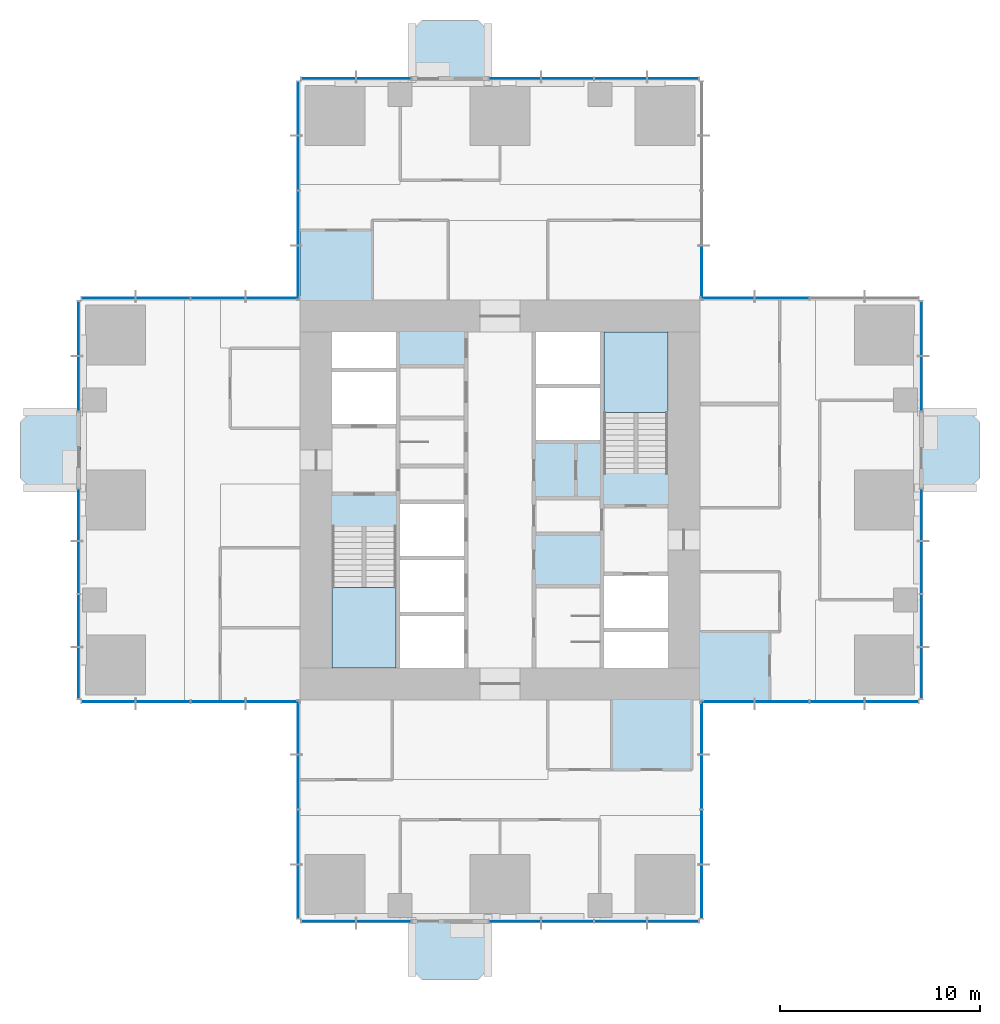
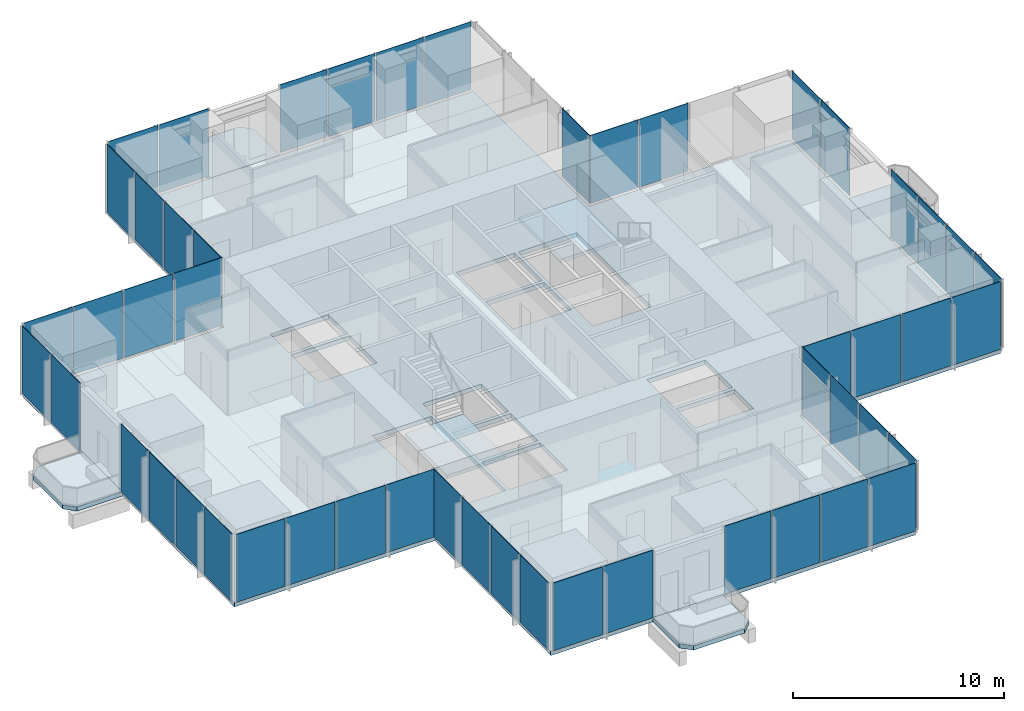
# One storey, part 7 of 13: 51 plates, 7 slabs, 18 elements without a shape of their own.
"""IFC4 building model written with IfcOpenShell, lengths in metres."""

from ifc_helpers import new_model, si_unit, direction, frame, origin, origin_2d, place, context, subcontext, project, spatial, polyline, rectangle, outline, extrude, material, layer, layer_set, type_object, element, aggregate, save


model = new_model("IFC4")

# Units and contexts
model_context = context("Model", 3, precision=1e-05, world=origin(), true_north=direction((0.0, 1.0)))
body_context = subcontext(model_context, "Body", "Model", "MODEL_VIEW")
ifc_project = project(units=[si_unit("LENGTHUNIT", "METRE"), si_unit("AREAUNIT", "SQUARE_METRE"), si_unit("VOLUMEUNIT", "CUBIC_METRE"), si_unit("PLANEANGLEUNIT", "RADIAN"), si_unit("MASSUNIT", "GRAM", prefix="KILO")], contexts=[model_context])

# Site, building, storey
site_placement = place(None, origin())
site = spatial("IfcSite", under=ifc_project, at=site_placement, CompositionType="ELEMENT")
building_placement = place(site_placement, origin())
building = spatial("IfcBuilding", under=site, at=building_placement, Name="Svetlomir Tower", CompositionType="ELEMENT")
storey_placement = place(building_placement, frame((0.0, 0.0, 116.5)))
storey = spatial("IfcBuildingStorey", under=building, at=storey_placement, Name="L27", CompositionType="ELEMENT", Elevation=116.5)

# Slabs
ifc_material_1 = material(Name="Concrete C60/75", Category="concrete")
ifc_layer_1 = layer(ifc_material_1, 0.25)
ifc_layer_set_1 = layer_set([ifc_layer_1], Name="Concrete C60/75")
slab_type_1 = type_object("IfcSlabType", Name="BALCONY SLAB 250", PredefinedType="FLOOR", material=ifc_layer_set_1)
slab_1_placement = place(storey_placement, frame((0.0, 0.0, -0.25)))
element("IfcSlab", 1, at=slab_1_placement, inside=storey, type_object=slab_type_1, Name="L27 S planted balcony", PredefinedType="FLOOR", context=body_context, shape_type="SweptSolid", body=[
    extrude(outline(polyline([(16.60009765625, -2.5), (17.10009765625, -3.0), (19.89990234375, -3.0), (20.39990234375, -2.5), (20.39990234375, 0.0), (16.60009765625, 0.0), (16.60009765625, -2.5)])), origin(), (0.0, 0.0, 1.0), 0.25),
])
slab_2_placement = place(storey_placement, frame((0.0, 0.0, -0.25)))
element("IfcSlab", 2, at=slab_2_placement, inside=storey, type_object=slab_type_1, Name="L27 E planted balcony", PredefinedType="FLOOR", context=body_context, shape_type="SweptSolid", body=[
    extrude(outline(polyline([(42.0, 21.60009765625), (44.5, 21.60009765625), (45.0, 22.10009765625), (45.0, 24.89990234375), (44.5, 25.39990234375), (42.0, 25.39990234375), (42.0, 21.60009765625)])), origin(), (0.0, 0.0, 1.0), 0.25),
])
slab_3_placement = place(storey_placement, frame((0.0, 0.0, -0.25)))
element("IfcSlab", 3, at=slab_3_placement, inside=storey, type_object=slab_type_1, Name="L27 N planted balcony", PredefinedType="FLOOR", context=body_context, shape_type="SweptSolid", body=[
    extrude(outline(polyline([(16.60009765625, 42.0), (20.39990234375, 42.0), (20.39990234375, 44.5), (19.89990234375, 45.0), (17.10009765625, 45.0), (16.60009765625, 44.5), (16.60009765625, 42.0)])), origin(), (0.0, 0.0, 1.0), 0.25),
])
slab_4_placement = place(storey_placement, frame((0.0, 0.0, -0.25)))
element("IfcSlab", 4, at=slab_4_placement, inside=storey, type_object=slab_type_1, Name="L27 W planted balcony", PredefinedType="FLOOR", context=body_context, shape_type="SweptSolid", body=[
    extrude(outline(polyline([(-2.5, 21.60009765625), (0.0, 21.60009765625), (0.0, 25.39990234375), (-2.5, 25.39990234375), (-3.0, 24.89990234375), (-3.0, 22.10009765625), (-2.5, 21.60009765625)])), origin(), (0.0, 0.0, 1.0), 0.25),
])

# Curtain wall, plates
ifc_material_2 = material(Name="Bronze anodised aluminium curtain wall", Category="aluminium")
curtain_wall_type = type_object("IfcCurtainWallType", Name="CURTAIN WALL CW1 TOWER OFFICE", PredefinedType="NOTDEFINED", material=ifc_material_2)
curtain_wall_1_placement = place(storey_placement, origin())
curtain_wall_1 = element("IfcCurtainWall", 5, at=curtain_wall_1_placement, inside=storey, type_object=curtain_wall_type, Name="Curtain wall CW1 L27", PredefinedType="NOTDEFINED")
ifc_material_3 = material(Name="Tinted double glazed unit", Category="glass")
ifc_layer_2 = layer(ifc_material_3, 0.031982421875)
ifc_layer_set_2 = layer_set([ifc_layer_2], Name="Tinted double glazed unit")
plate_type = type_object("IfcPlateType", Name="CW1 GLAZED PANEL 32", PredefinedType="CURTAIN_PANEL", material=ifc_layer_set_2)
plate_1_placement = place(storey_placement, frame((12.416259765625, -0.10009765625, 0.06494140625), z_axis=(0.0, 0.0, 1.0), x_axis=(1.0, 0.0, 0.0)))
plate_1 = element("IfcPlate", 6, at=plate_1_placement, type_object=plate_type, Name="CW1 panel 1.1", PredefinedType="CURTAIN_PANEL", context=body_context, shape_type="SweptSolid", body=[
    extrude(rectangle(XDim=2.702392578125, YDim=0.031982421875, at=origin_2d()), origin(), (0.0, 0.0, 1.0), 3.93505859375),
])
plate_2_placement = place(storey_placement, frame((15.183837890625, -0.10009765625, 0.06494140625), z_axis=(0.0, 0.0, 1.0), x_axis=(1.0, 0.0, 0.0)))
plate_2 = element("IfcPlate", 7, at=plate_2_placement, type_object=plate_type, Name="CW1 panel 2.1", PredefinedType="CURTAIN_PANEL", context=body_context, shape_type="SweptSolid", body=[
    extrude(rectangle(XDim=2.702392578125, YDim=0.031982421875, at=origin_2d()), origin(), (0.0, 0.0, 1.0), 3.93505859375),
])
aggregate(curtain_wall_1, [plate_1, plate_2])

curtain_wall_2_placement = place(storey_placement, origin())
curtain_wall_2 = element("IfcCurtainWall", 8, at=curtain_wall_2_placement, inside=storey, type_object=curtain_wall_type, Name="Curtain wall CW1 L27", PredefinedType="NOTDEFINED")
plate_3_placement = place(storey_placement, frame((21.7412109375, -0.10009765625, 0.06494140625), z_axis=(0.0, 0.0, 1.0), x_axis=(1.0, 0.0, 0.0)))
plate_3 = element("IfcPlate", 9, at=plate_3_placement, type_object=plate_type, Name="CW1 panel 1.1", PredefinedType="CURTAIN_PANEL", context=body_context, shape_type="SweptSolid", body=[
    extrude(rectangle(XDim=2.552490234375, YDim=0.031982421875, at=origin_2d()), origin(), (0.0, 0.0, 1.0), 3.93505859375),
])
plate_4_placement = place(storey_placement, frame((24.375, -0.10009765625, 0.06494140625), z_axis=(0.0, 0.0, 1.0), x_axis=(1.0, 0.0, 0.0)))
plate_4 = element("IfcPlate", 10, at=plate_4_placement, type_object=plate_type, Name="CW1 panel 2.1", PredefinedType="CURTAIN_PANEL", context=body_context, shape_type="SweptSolid", body=[
    extrude(rectangle(XDim=2.5849609375, YDim=0.031982421875, at=origin_2d()), origin(), (0.0, 0.0, 1.0), 3.93505859375),
])
plate_5_placement = place(storey_placement, frame((27.02490234375, -0.10009765625, 0.06494140625), z_axis=(0.0, 0.0, 1.0), x_axis=(1.0, 0.0, 0.0)))
plate_5 = element("IfcPlate", 11, at=plate_5_placement, type_object=plate_type, Name="CW1 panel 3.1", PredefinedType="CURTAIN_PANEL", context=body_context, shape_type="SweptSolid", body=[
    extrude(rectangle(XDim=2.5849609375, YDim=0.031982421875, at=origin_2d()), origin(), (0.0, 0.0, 1.0), 3.93505859375),
])
plate_6_placement = place(storey_placement, frame((29.65869140625, -0.10009765625, 0.06494140625), z_axis=(0.0, 0.0, 1.0), x_axis=(1.0, 0.0, 0.0)))
plate_6 = element("IfcPlate", 12, at=plate_6_placement, type_object=plate_type, Name="CW1 panel 4.1", PredefinedType="CURTAIN_PANEL", context=body_context, shape_type="SweptSolid", body=[
    extrude(rectangle(XDim=2.552490234375, YDim=0.031982421875, at=origin_2d()), origin(), (0.0, 0.0, 1.0), 3.93505859375),
])
aggregate(curtain_wall_2, [plate_3, plate_4, plate_5, plate_6])

curtain_wall_3_placement = place(storey_placement, origin())
curtain_wall_3 = element("IfcCurtainWall", 13, at=curtain_wall_3_placement, inside=storey, type_object=curtain_wall_type, Name="Curtain wall CW1 L27", PredefinedType="NOTDEFINED")
plate_7_placement = place(storey_placement, frame((31.10009765625, 1.391357421875, 0.06494140625), z_axis=(0.0, 0.0, 1.0), x_axis=(0.0, 1.0, 0.0)))
plate_7 = element("IfcPlate", 14, at=plate_7_placement, type_object=plate_type, Name="CW1 panel 1.1", PredefinedType="CURTAIN_PANEL", context=body_context, shape_type="SweptSolid", body=[
    extrude(rectangle(XDim=2.652587890625, YDim=0.031982421875, at=origin_2d()), origin(), (0.0, 0.0, 1.0), 3.93505859375),
])
plate_8_placement = place(storey_placement, frame((31.10009765625, 4.125, 0.06494140625), z_axis=(0.0, 0.0, 1.0), x_axis=(0.0, 1.0, 0.0)))
plate_8 = element("IfcPlate", 15, at=plate_8_placement, type_object=plate_type, Name="CW1 panel 2.1", PredefinedType="CURTAIN_PANEL", context=body_context, shape_type="SweptSolid", body=[
    extrude(rectangle(XDim=2.68505859375, YDim=0.031982421875, at=origin_2d()), origin(), (0.0, 0.0, 1.0), 3.93505859375),
])
plate_9_placement = place(storey_placement, frame((31.10009765625, 6.875, 0.06494140625), z_axis=(0.0, 0.0, 1.0), x_axis=(0.0, 1.0, 0.0)))
plate_9 = element("IfcPlate", 16, at=plate_9_placement, type_object=plate_type, Name="CW1 panel 3.1", PredefinedType="CURTAIN_PANEL", context=body_context, shape_type="SweptSolid", body=[
    extrude(rectangle(XDim=2.68505859375, YDim=0.031982421875, at=origin_2d()), origin(), (0.0, 0.0, 1.0), 3.93505859375),
])
plate_10_placement = place(storey_placement, frame((31.10009765625, 9.608642578125, 0.06494140625), z_axis=(0.0, 0.0, 1.0), x_axis=(0.0, 1.0, 0.0)))
plate_10 = element("IfcPlate", 17, at=plate_10_placement, type_object=plate_type, Name="CW1 panel 4.1", PredefinedType="CURTAIN_PANEL", context=body_context, shape_type="SweptSolid", body=[
    extrude(rectangle(XDim=2.652587890625, YDim=0.031982421875, at=origin_2d()), origin(), (0.0, 0.0, 1.0), 3.93505859375),
])
aggregate(curtain_wall_3, [plate_7, plate_8, plate_9, plate_10])

curtain_wall_4_placement = place(storey_placement, origin())
curtain_wall_4 = element("IfcCurtainWall", 18, at=curtain_wall_4_placement, inside=storey, type_object=curtain_wall_type, Name="Curtain wall CW1 L27", PredefinedType="NOTDEFINED")
plate_11_placement = place(storey_placement, frame((32.391357421875, 10.89990234375, 0.06494140625), z_axis=(0.0, 0.0, 1.0), x_axis=(1.0, 0.0, 0.0)))
plate_11 = element("IfcPlate", 19, at=plate_11_placement, type_object=plate_type, Name="CW1 panel 1.1", PredefinedType="CURTAIN_PANEL", context=body_context, shape_type="SweptSolid", body=[
    extrude(rectangle(XDim=2.652587890625, YDim=0.031982421875, at=origin_2d()), origin(), (0.0, 0.0, 1.0), 3.93505859375),
])
plate_12_placement = place(storey_placement, frame((35.125, 10.89990234375, 0.06494140625), z_axis=(0.0, 0.0, 1.0), x_axis=(1.0, 0.0, 0.0)))
plate_12 = element("IfcPlate", 20, at=plate_12_placement, type_object=plate_type, Name="CW1 panel 2.1", PredefinedType="CURTAIN_PANEL", context=body_context, shape_type="SweptSolid", body=[
    extrude(rectangle(XDim=2.68505859375, YDim=0.031982421875, at=origin_2d()), origin(), (0.0, 0.0, 1.0), 3.93505859375),
])
plate_13_placement = place(storey_placement, frame((37.875, 10.89990234375, 0.06494140625), z_axis=(0.0, 0.0, 1.0), x_axis=(1.0, 0.0, 0.0)))
plate_13 = element("IfcPlate", 21, at=plate_13_placement, type_object=plate_type, Name="CW1 panel 3.1", PredefinedType="CURTAIN_PANEL", context=body_context, shape_type="SweptSolid", body=[
    extrude(rectangle(XDim=2.68505859375, YDim=0.031982421875, at=origin_2d()), origin(), (0.0, 0.0, 1.0), 3.93505859375),
])
plate_14_placement = place(storey_placement, frame((40.608642578125, 10.89990234375, 0.06494140625), z_axis=(0.0, 0.0, 1.0), x_axis=(1.0, 0.0, 0.0)))
plate_14 = element("IfcPlate", 22, at=plate_14_placement, type_object=plate_type, Name="CW1 panel 4.1", PredefinedType="CURTAIN_PANEL", context=body_context, shape_type="SweptSolid", body=[
    extrude(rectangle(XDim=2.652587890625, YDim=0.031982421875, at=origin_2d()), origin(), (0.0, 0.0, 1.0), 3.93505859375),
])
aggregate(curtain_wall_4, [plate_11, plate_12, plate_13, plate_14])

curtain_wall_5_placement = place(storey_placement, origin())
curtain_wall_5 = element("IfcCurtainWall", 23, at=curtain_wall_5_placement, inside=storey, type_object=curtain_wall_type, Name="Curtain wall CW1 L27", PredefinedType="NOTDEFINED")
plate_15_placement = place(storey_placement, frame((42.10009765625, 12.34130859375, 0.06494140625), z_axis=(0.0, 0.0, 1.0), x_axis=(0.0, 1.0, 0.0)))
plate_15 = element("IfcPlate", 24, at=plate_15_placement, type_object=plate_type, Name="CW1 panel 1.1", PredefinedType="CURTAIN_PANEL", context=body_context, shape_type="SweptSolid", body=[
    extrude(rectangle(XDim=2.552490234375, YDim=0.031982421875, at=origin_2d()), origin(), (0.0, 0.0, 1.0), 3.93505859375),
])
plate_16_placement = place(storey_placement, frame((42.10009765625, 14.97509765625, 0.06494140625), z_axis=(0.0, 0.0, 1.0), x_axis=(0.0, 1.0, 0.0)))
plate_16 = element("IfcPlate", 25, at=plate_16_placement, type_object=plate_type, Name="CW1 panel 2.1", PredefinedType="CURTAIN_PANEL", context=body_context, shape_type="SweptSolid", body=[
    extrude(rectangle(XDim=2.5849609375, YDim=0.031982421875, at=origin_2d()), origin(), (0.0, 0.0, 1.0), 3.93505859375),
])
plate_17_placement = place(storey_placement, frame((42.10009765625, 17.625, 0.06494140625), z_axis=(0.0, 0.0, 1.0), x_axis=(0.0, 1.0, 0.0)))
plate_17 = element("IfcPlate", 26, at=plate_17_placement, type_object=plate_type, Name="CW1 panel 3.1", PredefinedType="CURTAIN_PANEL", context=body_context, shape_type="SweptSolid", body=[
    extrude(rectangle(XDim=2.5849609375, YDim=0.031982421875, at=origin_2d()), origin(), (0.0, 0.0, 1.0), 3.93505859375),
])
plate_18_placement = place(storey_placement, frame((42.10009765625, 20.2587890625, 0.06494140625), z_axis=(0.0, 0.0, 1.0), x_axis=(0.0, 1.0, 0.0)))
plate_18 = element("IfcPlate", 27, at=plate_18_placement, type_object=plate_type, Name="CW1 panel 4.1", PredefinedType="CURTAIN_PANEL", context=body_context, shape_type="SweptSolid", body=[
    extrude(rectangle(XDim=2.552490234375, YDim=0.031982421875, at=origin_2d()), origin(), (0.0, 0.0, 1.0), 3.93505859375),
])
aggregate(curtain_wall_5, [plate_15, plate_16, plate_17, plate_18])

curtain_wall_6_placement = place(storey_placement, origin())
curtain_wall_6 = element("IfcCurtainWall", 28, at=curtain_wall_6_placement, inside=storey, type_object=curtain_wall_type, Name="Curtain wall CW1 L27", PredefinedType="NOTDEFINED")
plate_19_placement = place(storey_placement, frame((42.10009765625, 26.816162109375, 0.06494140625), z_axis=(0.0, 0.0, 1.0), x_axis=(0.0, 1.0, 0.0)))
plate_19 = element("IfcPlate", 29, at=plate_19_placement, type_object=plate_type, Name="CW1 panel 1.1", PredefinedType="CURTAIN_PANEL", context=body_context, shape_type="SweptSolid", body=[
    extrude(rectangle(XDim=2.702392578125, YDim=0.031982421875, at=origin_2d()), origin(), (0.0, 0.0, 1.0), 3.93505859375),
])
plate_20_placement = place(storey_placement, frame((42.10009765625, 29.583740234375, 0.06494140625), z_axis=(0.0, 0.0, 1.0), x_axis=(0.0, 1.0, 0.0)))
plate_20 = element("IfcPlate", 30, at=plate_20_placement, type_object=plate_type, Name="CW1 panel 2.1", PredefinedType="CURTAIN_PANEL", context=body_context, shape_type="SweptSolid", body=[
    extrude(rectangle(XDim=2.702392578125, YDim=0.031982421875, at=origin_2d()), origin(), (0.0, 0.0, 1.0), 3.93505859375),
])
aggregate(curtain_wall_6, [plate_19, plate_20])

curtain_wall_7_placement = place(storey_placement, origin())
curtain_wall_7 = element("IfcCurtainWall", 31, at=curtain_wall_7_placement, inside=storey, type_object=curtain_wall_type, Name="Curtain wall CW1 L27", PredefinedType="NOTDEFINED")
plate_21_placement = place(storey_placement, frame((35.125, 31.10009765625, 0.06494140625), z_axis=(0.0, 0.0, 1.0), x_axis=(-1.0, 0.0, 0.0)))
plate_21 = element("IfcPlate", 32, at=plate_21_placement, type_object=plate_type, Name="CW1 panel 3.1", PredefinedType="CURTAIN_PANEL", context=body_context, shape_type="SweptSolid", body=[
    extrude(rectangle(XDim=2.68505859375, YDim=0.031982421875, at=origin_2d()), origin(), (0.0, 0.0, 1.0), 3.93505859375),
])
plate_22_placement = place(storey_placement, frame((32.391357421875, 31.10009765625, 0.06494140625), z_axis=(0.0, 0.0, 1.0), x_axis=(-1.0, 0.0, 0.0)))
plate_22 = element("IfcPlate", 33, at=plate_22_placement, type_object=plate_type, Name="CW1 panel 4.1", PredefinedType="CURTAIN_PANEL", context=body_context, shape_type="SweptSolid", body=[
    extrude(rectangle(XDim=2.652587890625, YDim=0.031982421875, at=origin_2d()), origin(), (0.0, 0.0, 1.0), 3.93505859375),
])
aggregate(curtain_wall_7, [plate_21, plate_22])

# Curtain wall, plate
curtain_wall_8_placement = place(storey_placement, origin())
curtain_wall_8 = element("IfcCurtainWall", 34, at=curtain_wall_8_placement, inside=storey, type_object=curtain_wall_type, Name="Curtain wall CW1 L27", PredefinedType="NOTDEFINED")
plate_23_placement = place(storey_placement, frame((31.10009765625, 32.391357421875, 0.06494140625), z_axis=(0.0, 0.0, 1.0), x_axis=(0.0, 1.0, 0.0)))
plate_23 = element("IfcPlate", 35, at=plate_23_placement, type_object=plate_type, Name="CW1 panel 1.1", PredefinedType="CURTAIN_PANEL", context=body_context, shape_type="SweptSolid", body=[
    extrude(rectangle(XDim=2.652587890625, YDim=0.031982421875, at=origin_2d()), origin(), (0.0, 0.0, 1.0), 3.93505859375),
])
aggregate(curtain_wall_8, [plate_23])

# Curtain wall, plates
curtain_wall_9_placement = place(storey_placement, origin())
curtain_wall_9 = element("IfcCurtainWall", 36, at=curtain_wall_9_placement, inside=storey, type_object=curtain_wall_type, Name="Curtain wall CW1 L27", PredefinedType="NOTDEFINED")
plate_24_placement = place(storey_placement, frame((29.65869140625, 42.10009765625, 0.06494140625), z_axis=(0.0, 0.0, 1.0), x_axis=(-1.0, 0.0, 0.0)))
plate_24 = element("IfcPlate", 37, at=plate_24_placement, type_object=plate_type, Name="CW1 panel 1.1", PredefinedType="CURTAIN_PANEL", context=body_context, shape_type="SweptSolid", body=[
    extrude(rectangle(XDim=2.552490234375, YDim=0.031982421875, at=origin_2d()), origin(), (0.0, 0.0, 1.0), 3.93505859375),
])
plate_25_placement = place(storey_placement, frame((27.02490234375, 42.10009765625, 0.06494140625), z_axis=(0.0, 0.0, 1.0), x_axis=(-1.0, 0.0, 0.0)))
plate_25 = element("IfcPlate", 38, at=plate_25_placement, type_object=plate_type, Name="CW1 panel 2.1", PredefinedType="CURTAIN_PANEL", context=body_context, shape_type="SweptSolid", body=[
    extrude(rectangle(XDim=2.5849609375, YDim=0.031982421875, at=origin_2d()), origin(), (0.0, 0.0, 1.0), 3.93505859375),
])
plate_26_placement = place(storey_placement, frame((24.375, 42.10009765625, 0.06494140625), z_axis=(0.0, 0.0, 1.0), x_axis=(-1.0, 0.0, 0.0)))
plate_26 = element("IfcPlate", 39, at=plate_26_placement, type_object=plate_type, Name="CW1 panel 3.1", PredefinedType="CURTAIN_PANEL", context=body_context, shape_type="SweptSolid", body=[
    extrude(rectangle(XDim=2.5849609375, YDim=0.031982421875, at=origin_2d()), origin(), (0.0, 0.0, 1.0), 3.93505859375),
])
plate_27_placement = place(storey_placement, frame((21.7412109375, 42.10009765625, 0.06494140625), z_axis=(0.0, 0.0, 1.0), x_axis=(-1.0, 0.0, 0.0)))
plate_27 = element("IfcPlate", 40, at=plate_27_placement, type_object=plate_type, Name="CW1 panel 4.1", PredefinedType="CURTAIN_PANEL", context=body_context, shape_type="SweptSolid", body=[
    extrude(rectangle(XDim=2.552490234375, YDim=0.031982421875, at=origin_2d()), origin(), (0.0, 0.0, 1.0), 3.93505859375),
])
aggregate(curtain_wall_9, [plate_24, plate_25, plate_26, plate_27])

curtain_wall_10_placement = place(storey_placement, origin())
curtain_wall_10 = element("IfcCurtainWall", 41, at=curtain_wall_10_placement, inside=storey, type_object=curtain_wall_type, Name="Curtain wall CW1 L27", PredefinedType="NOTDEFINED")
plate_28_placement = place(storey_placement, frame((15.183837890625, 42.10009765625, 0.06494140625), z_axis=(0.0, 0.0, 1.0), x_axis=(-1.0, 0.0, 0.0)))
plate_28 = element("IfcPlate", 42, at=plate_28_placement, type_object=plate_type, Name="CW1 panel 1.1", PredefinedType="CURTAIN_PANEL", context=body_context, shape_type="SweptSolid", body=[
    extrude(rectangle(XDim=2.702392578125, YDim=0.031982421875, at=origin_2d()), origin(), (0.0, 0.0, 1.0), 3.93505859375),
])
plate_29_placement = place(storey_placement, frame((12.416259765625, 42.10009765625, 0.06494140625), z_axis=(0.0, 0.0, 1.0), x_axis=(-1.0, 0.0, 0.0)))
plate_29 = element("IfcPlate", 43, at=plate_29_placement, type_object=plate_type, Name="CW1 panel 2.1", PredefinedType="CURTAIN_PANEL", context=body_context, shape_type="SweptSolid", body=[
    extrude(rectangle(XDim=2.702392578125, YDim=0.031982421875, at=origin_2d()), origin(), (0.0, 0.0, 1.0), 3.93505859375),
])
aggregate(curtain_wall_10, [plate_28, plate_29])

curtain_wall_11_placement = place(storey_placement, origin())
curtain_wall_11 = element("IfcCurtainWall", 44, at=curtain_wall_11_placement, inside=storey, type_object=curtain_wall_type, Name="Curtain wall CW1 L27", PredefinedType="NOTDEFINED")
plate_30_placement = place(storey_placement, frame((10.89990234375, 40.608642578125, 0.06494140625), z_axis=(0.0, 0.0, 1.0), x_axis=(0.0, -1.0, 0.0)))
plate_30 = element("IfcPlate", 45, at=plate_30_placement, type_object=plate_type, Name="CW1 panel 1.1", PredefinedType="CURTAIN_PANEL", context=body_context, shape_type="SweptSolid", body=[
    extrude(rectangle(XDim=2.652587890625, YDim=0.031982421875, at=origin_2d()), origin(), (0.0, 0.0, 1.0), 3.93505859375),
])
plate_31_placement = place(storey_placement, frame((10.89990234375, 37.875, 0.06494140625), z_axis=(0.0, 0.0, 1.0), x_axis=(0.0, -1.0, 0.0)))
plate_31 = element("IfcPlate", 46, at=plate_31_placement, type_object=plate_type, Name="CW1 panel 2.1", PredefinedType="CURTAIN_PANEL", context=body_context, shape_type="SweptSolid", body=[
    extrude(rectangle(XDim=2.68505859375, YDim=0.031982421875, at=origin_2d()), origin(), (0.0, 0.0, 1.0), 3.93505859375),
])
plate_32_placement = place(storey_placement, frame((10.89990234375, 35.125, 0.06494140625), z_axis=(0.0, 0.0, 1.0), x_axis=(0.0, -1.0, 0.0)))
plate_32 = element("IfcPlate", 47, at=plate_32_placement, type_object=plate_type, Name="CW1 panel 3.1", PredefinedType="CURTAIN_PANEL", context=body_context, shape_type="SweptSolid", body=[
    extrude(rectangle(XDim=2.68505859375, YDim=0.031982421875, at=origin_2d()), origin(), (0.0, 0.0, 1.0), 3.93505859375),
])
plate_33_placement = place(storey_placement, frame((10.89990234375, 32.391357421875, 0.06494140625), z_axis=(0.0, 0.0, 1.0), x_axis=(0.0, -1.0, 0.0)))
plate_33 = element("IfcPlate", 48, at=plate_33_placement, type_object=plate_type, Name="CW1 panel 4.1", PredefinedType="CURTAIN_PANEL", context=body_context, shape_type="SweptSolid", body=[
    extrude(rectangle(XDim=2.652587890625, YDim=0.031982421875, at=origin_2d()), origin(), (0.0, 0.0, 1.0), 3.93505859375),
])
aggregate(curtain_wall_11, [plate_30, plate_31, plate_32, plate_33])

curtain_wall_12_placement = place(storey_placement, origin())
curtain_wall_12 = element("IfcCurtainWall", 49, at=curtain_wall_12_placement, inside=storey, type_object=curtain_wall_type, Name="Curtain wall CW1 L27", PredefinedType="NOTDEFINED")
plate_34_placement = place(storey_placement, frame((9.608642578125, 31.10009765625, 0.06494140625), z_axis=(0.0, 0.0, 1.0), x_axis=(-1.0, 0.0, 0.0)))
plate_34 = element("IfcPlate", 50, at=plate_34_placement, type_object=plate_type, Name="CW1 panel 1.1", PredefinedType="CURTAIN_PANEL", context=body_context, shape_type="SweptSolid", body=[
    extrude(rectangle(XDim=2.652587890625, YDim=0.031982421875, at=origin_2d()), origin(), (0.0, 0.0, 1.0), 3.93505859375),
])
plate_35_placement = place(storey_placement, frame((6.875, 31.10009765625, 0.06494140625), z_axis=(0.0, 0.0, 1.0), x_axis=(-1.0, 0.0, 0.0)))
plate_35 = element("IfcPlate", 51, at=plate_35_placement, type_object=plate_type, Name="CW1 panel 2.1", PredefinedType="CURTAIN_PANEL", context=body_context, shape_type="SweptSolid", body=[
    extrude(rectangle(XDim=2.68505859375, YDim=0.031982421875, at=origin_2d()), origin(), (0.0, 0.0, 1.0), 3.93505859375),
])
plate_36_placement = place(storey_placement, frame((4.125, 31.10009765625, 0.06494140625), z_axis=(0.0, 0.0, 1.0), x_axis=(-1.0, 0.0, 0.0)))
plate_36 = element("IfcPlate", 52, at=plate_36_placement, type_object=plate_type, Name="CW1 panel 3.1", PredefinedType="CURTAIN_PANEL", context=body_context, shape_type="SweptSolid", body=[
    extrude(rectangle(XDim=2.68505859375, YDim=0.031982421875, at=origin_2d()), origin(), (0.0, 0.0, 1.0), 3.93505859375),
])
plate_37_placement = place(storey_placement, frame((1.391357421875, 31.10009765625, 0.06494140625), z_axis=(0.0, 0.0, 1.0), x_axis=(-1.0, 0.0, 0.0)))
plate_37 = element("IfcPlate", 53, at=plate_37_placement, type_object=plate_type, Name="CW1 panel 4.1", PredefinedType="CURTAIN_PANEL", context=body_context, shape_type="SweptSolid", body=[
    extrude(rectangle(XDim=2.652587890625, YDim=0.031982421875, at=origin_2d()), origin(), (0.0, 0.0, 1.0), 3.93505859375),
])
aggregate(curtain_wall_12, [plate_34, plate_35, plate_36, plate_37])

curtain_wall_13_placement = place(storey_placement, origin())
curtain_wall_13 = element("IfcCurtainWall", 54, at=curtain_wall_13_placement, inside=storey, type_object=curtain_wall_type, Name="Curtain wall CW1 L27", PredefinedType="NOTDEFINED")
plate_38_placement = place(storey_placement, frame((-0.10009765625, 29.583740234375, 0.06494140625), z_axis=(0.0, 0.0, 1.0), x_axis=(0.0, -1.0, 0.0)))
plate_38 = element("IfcPlate", 55, at=plate_38_placement, type_object=plate_type, Name="CW1 panel 1.1", PredefinedType="CURTAIN_PANEL", context=body_context, shape_type="SweptSolid", body=[
    extrude(rectangle(XDim=2.702392578125, YDim=0.031982421875, at=origin_2d()), origin(), (0.0, 0.0, 1.0), 3.93505859375),
])
plate_39_placement = place(storey_placement, frame((-0.10009765625, 26.816162109375, 0.06494140625), z_axis=(0.0, 0.0, 1.0), x_axis=(0.0, -1.0, 0.0)))
plate_39 = element("IfcPlate", 56, at=plate_39_placement, type_object=plate_type, Name="CW1 panel 2.1", PredefinedType="CURTAIN_PANEL", context=body_context, shape_type="SweptSolid", body=[
    extrude(rectangle(XDim=2.702392578125, YDim=0.031982421875, at=origin_2d()), origin(), (0.0, 0.0, 1.0), 3.93505859375),
])
aggregate(curtain_wall_13, [plate_38, plate_39])

curtain_wall_14_placement = place(storey_placement, origin())
curtain_wall_14 = element("IfcCurtainWall", 57, at=curtain_wall_14_placement, inside=storey, type_object=curtain_wall_type, Name="Curtain wall CW1 L27", PredefinedType="NOTDEFINED")
plate_40_placement = place(storey_placement, frame((-0.10009765625, 20.2587890625, 0.06494140625), z_axis=(0.0, 0.0, 1.0), x_axis=(0.0, -1.0, 0.0)))
plate_40 = element("IfcPlate", 58, at=plate_40_placement, type_object=plate_type, Name="CW1 panel 1.1", PredefinedType="CURTAIN_PANEL", context=body_context, shape_type="SweptSolid", body=[
    extrude(rectangle(XDim=2.552490234375, YDim=0.031982421875, at=origin_2d()), origin(), (0.0, 0.0, 1.0), 3.93505859375),
])
plate_41_placement = place(storey_placement, frame((-0.10009765625, 17.625, 0.06494140625), z_axis=(0.0, 0.0, 1.0), x_axis=(0.0, -1.0, 0.0)))
plate_41 = element("IfcPlate", 59, at=plate_41_placement, type_object=plate_type, Name="CW1 panel 2.1", PredefinedType="CURTAIN_PANEL", context=body_context, shape_type="SweptSolid", body=[
    extrude(rectangle(XDim=2.5849609375, YDim=0.031982421875, at=origin_2d()), origin(), (0.0, 0.0, 1.0), 3.93505859375),
])
plate_42_placement = place(storey_placement, frame((-0.10009765625, 14.97509765625, 0.06494140625), z_axis=(0.0, 0.0, 1.0), x_axis=(0.0, -1.0, 0.0)))
plate_42 = element("IfcPlate", 60, at=plate_42_placement, type_object=plate_type, Name="CW1 panel 3.1", PredefinedType="CURTAIN_PANEL", context=body_context, shape_type="SweptSolid", body=[
    extrude(rectangle(XDim=2.5849609375, YDim=0.031982421875, at=origin_2d()), origin(), (0.0, 0.0, 1.0), 3.93505859375),
])
plate_43_placement = place(storey_placement, frame((-0.10009765625, 12.34130859375, 0.06494140625), z_axis=(0.0, 0.0, 1.0), x_axis=(0.0, -1.0, 0.0)))
plate_43 = element("IfcPlate", 61, at=plate_43_placement, type_object=plate_type, Name="CW1 panel 4.1", PredefinedType="CURTAIN_PANEL", context=body_context, shape_type="SweptSolid", body=[
    extrude(rectangle(XDim=2.552490234375, YDim=0.031982421875, at=origin_2d()), origin(), (0.0, 0.0, 1.0), 3.93505859375),
])
aggregate(curtain_wall_14, [plate_40, plate_41, plate_42, plate_43])

curtain_wall_15_placement = place(storey_placement, origin())
curtain_wall_15 = element("IfcCurtainWall", 62, at=curtain_wall_15_placement, inside=storey, type_object=curtain_wall_type, Name="Curtain wall CW1 L27", PredefinedType="NOTDEFINED")
plate_44_placement = place(storey_placement, frame((1.391357421875, 10.89990234375, 0.06494140625), z_axis=(0.0, 0.0, 1.0), x_axis=(1.0, 0.0, 0.0)))
plate_44 = element("IfcPlate", 63, at=plate_44_placement, type_object=plate_type, Name="CW1 panel 1.1", PredefinedType="CURTAIN_PANEL", context=body_context, shape_type="SweptSolid", body=[
    extrude(rectangle(XDim=2.652587890625, YDim=0.031982421875, at=origin_2d()), origin(), (0.0, 0.0, 1.0), 3.93505859375),
])
plate_45_placement = place(storey_placement, frame((4.125, 10.89990234375, 0.06494140625), z_axis=(0.0, 0.0, 1.0), x_axis=(1.0, 0.0, 0.0)))
plate_45 = element("IfcPlate", 64, at=plate_45_placement, type_object=plate_type, Name="CW1 panel 2.1", PredefinedType="CURTAIN_PANEL", context=body_context, shape_type="SweptSolid", body=[
    extrude(rectangle(XDim=2.68505859375, YDim=0.031982421875, at=origin_2d()), origin(), (0.0, 0.0, 1.0), 3.93505859375),
])
plate_46_placement = place(storey_placement, frame((6.875, 10.89990234375, 0.06494140625), z_axis=(0.0, 0.0, 1.0), x_axis=(1.0, 0.0, 0.0)))
plate_46 = element("IfcPlate", 65, at=plate_46_placement, type_object=plate_type, Name="CW1 panel 3.1", PredefinedType="CURTAIN_PANEL", context=body_context, shape_type="SweptSolid", body=[
    extrude(rectangle(XDim=2.68505859375, YDim=0.031982421875, at=origin_2d()), origin(), (0.0, 0.0, 1.0), 3.93505859375),
])
plate_47_placement = place(storey_placement, frame((9.608642578125, 10.89990234375, 0.06494140625), z_axis=(0.0, 0.0, 1.0), x_axis=(1.0, 0.0, 0.0)))
plate_47 = element("IfcPlate", 66, at=plate_47_placement, type_object=plate_type, Name="CW1 panel 4.1", PredefinedType="CURTAIN_PANEL", context=body_context, shape_type="SweptSolid", body=[
    extrude(rectangle(XDim=2.652587890625, YDim=0.031982421875, at=origin_2d()), origin(), (0.0, 0.0, 1.0), 3.93505859375),
])
aggregate(curtain_wall_15, [plate_44, plate_45, plate_46, plate_47])

curtain_wall_16_placement = place(storey_placement, origin())
curtain_wall_16 = element("IfcCurtainWall", 67, at=curtain_wall_16_placement, inside=storey, type_object=curtain_wall_type, Name="Curtain wall CW1 L27", PredefinedType="NOTDEFINED")
plate_48_placement = place(storey_placement, frame((10.89990234375, 9.608642578125, 0.06494140625), z_axis=(0.0, 0.0, 1.0), x_axis=(0.0, -1.0, 0.0)))
plate_48 = element("IfcPlate", 68, at=plate_48_placement, type_object=plate_type, Name="CW1 panel 1.1", PredefinedType="CURTAIN_PANEL", context=body_context, shape_type="SweptSolid", body=[
    extrude(rectangle(XDim=2.652587890625, YDim=0.031982421875, at=origin_2d()), origin(), (0.0, 0.0, 1.0), 3.93505859375),
])
plate_49_placement = place(storey_placement, frame((10.89990234375, 6.875, 0.06494140625), z_axis=(0.0, 0.0, 1.0), x_axis=(0.0, -1.0, 0.0)))
plate_49 = element("IfcPlate", 69, at=plate_49_placement, type_object=plate_type, Name="CW1 panel 2.1", PredefinedType="CURTAIN_PANEL", context=body_context, shape_type="SweptSolid", body=[
    extrude(rectangle(XDim=2.68505859375, YDim=0.031982421875, at=origin_2d()), origin(), (0.0, 0.0, 1.0), 3.93505859375),
])
plate_50_placement = place(storey_placement, frame((10.89990234375, 4.125, 0.06494140625), z_axis=(0.0, 0.0, 1.0), x_axis=(0.0, -1.0, 0.0)))
plate_50 = element("IfcPlate", 70, at=plate_50_placement, type_object=plate_type, Name="CW1 panel 3.1", PredefinedType="CURTAIN_PANEL", context=body_context, shape_type="SweptSolid", body=[
    extrude(rectangle(XDim=2.68505859375, YDim=0.031982421875, at=origin_2d()), origin(), (0.0, 0.0, 1.0), 3.93505859375),
])
plate_51_placement = place(storey_placement, frame((10.89990234375, 1.391357421875, 0.06494140625), z_axis=(0.0, 0.0, 1.0), x_axis=(0.0, -1.0, 0.0)))
plate_51 = element("IfcPlate", 71, at=plate_51_placement, type_object=plate_type, Name="CW1 panel 4.1", PredefinedType="CURTAIN_PANEL", context=body_context, shape_type="SweptSolid", body=[
    extrude(rectangle(XDim=2.652587890625, YDim=0.031982421875, at=origin_2d()), origin(), (0.0, 0.0, 1.0), 3.93505859375),
])
aggregate(curtain_wall_16, [plate_48, plate_49, plate_50, plate_51])

# Slab
ifc_material_4 = material(Name="Concrete C60/75", Category="concrete")
ifc_layer_3 = layer(ifc_material_4, 0.25)
ifc_layer_set_3 = layer_set([ifc_layer_3], Name="Concrete C60/75")
slab_type_2 = type_object("IfcSlabType", Name="FLOOR SLAB 250", PredefinedType="FLOOR", material=ifc_layer_set_3)
slab_5_placement = place(storey_placement, frame((0.0, 0.0, -0.25)))
element("IfcSlab", 72, at=slab_5_placement, inside=storey, type_object=slab_type_2, Name="L27 floor slab", PredefinedType="FLOOR", context=body_context, shape_type="SweptSolid", body=[
    extrude(outline(polyline([(11.0, 0.0), (31.0, 0.0), (31.0, 11.0), (42.0, 11.0), (42.0, 31.0), (31.0, 31.0), (31.0, 42.0), (11.0, 42.0), (11.0, 31.0), (0.0, 31.0), (0.0, 11.0), (11.0, 11.0), (11.0, 0.0)]), holes=[polyline([(12.60009765625, 24.800048828125), (15.800048828125, 24.800048828125), (15.800048828125, 27.39990234375), (12.60009765625, 27.39990234375), (12.60009765625, 24.800048828125)]), polyline([(26.199951171875, 14.60009765625), (29.39990234375, 14.60009765625), (29.39990234375, 17.199951171875), (26.199951171875, 17.199951171875), (26.199951171875, 14.60009765625)]), polyline([(16.0, 12.60009765625), (19.199951171875, 12.60009765625), (19.199951171875, 15.199951171875), (16.0, 15.199951171875), (16.0, 12.60009765625)]), polyline([(16.0, 15.39990234375), (19.199951171875, 15.39990234375), (19.199951171875, 18.0), (16.0, 18.0), (16.0, 15.39990234375)]), polyline([(16.0, 18.199951171875), (19.199951171875, 18.199951171875), (19.199951171875, 20.800048828125), (16.0, 20.800048828125), (16.0, 18.199951171875)]), polyline([(22.800048828125, 24.0), (26.0, 24.0), (26.0, 26.60009765625), (22.800048828125, 26.60009765625), (22.800048828125, 24.0)]), polyline([(22.800048828125, 26.800048828125), (26.0, 26.800048828125), (26.0, 29.39990234375), (22.800048828125, 29.39990234375), (22.800048828125, 26.800048828125)]), polyline([(12.60009765625, 27.60009765625), (15.800048828125, 27.60009765625), (15.800048828125, 29.39990234375), (12.60009765625, 29.39990234375), (12.60009765625, 27.60009765625)]), polyline([(26.199951171875, 12.60009765625), (29.39990234375, 12.60009765625), (29.39990234375, 14.39990234375), (26.199951171875, 14.39990234375), (26.199951171875, 12.60009765625)]), polyline([(12.60009765625, 12.60009765625), (15.800048828125, 12.60009765625), (15.800048828125, 19.679931640625), (12.60009765625, 19.679931640625), (12.60009765625, 12.60009765625)]), polyline([(26.199951171875, 22.320068359375), (29.39990234375, 22.320068359375), (29.39990234375, 29.39990234375), (26.199951171875, 29.39990234375), (26.199951171875, 22.320068359375)])]), origin(), (0.0, 0.0, 1.0), 0.25),
])

# Stair, slab
ifc_material_5 = material(Name="Concrete C60/75", Category="concrete")
stair_type = type_object("IfcStairType", Name="EXIT STAIR 3200 RISE 4000", PredefinedType="HALF_TURN_STAIR", material=ifc_material_5)
stair_1_placement = place(storey_placement, origin())
stair_1 = element("IfcStair", 73, at=stair_1_placement, inside=storey, type_object=stair_type, Name="Stair S1 L27 to L28", PredefinedType="HALF_TURN_STAIR")
ifc_material_6 = material(Name="Concrete C60/75", Category="concrete")
ifc_layer_4 = layer(ifc_material_6, 0.199951171875)
ifc_layer_set_4 = layer_set([ifc_layer_4], Name="Concrete C60/75")
slab_type_3 = type_object("IfcSlabType", Name="STAIR LANDING 200", PredefinedType="LANDING", material=ifc_layer_set_4)
slab_6_placement = place(storey_placement, frame((0.0, 0.0, 1.800048828125)))
slab_6 = element("IfcSlab", 74, at=slab_6_placement, type_object=slab_type_3, Name="S1 landing 1", PredefinedType="LANDING", context=body_context, shape_type="SweptSolid", body=[
    extrude(outline(polyline([(12.60009765625, 12.60009765625), (15.800048828125, 12.60009765625), (15.800048828125, 16.6201171875), (12.60009765625, 16.6201171875), (12.60009765625, 12.60009765625)])), origin(), (0.0, 0.0, 1.0), 0.199951171875),
])
aggregate(stair_1, [slab_6])

stair_2_placement = place(storey_placement, origin())
stair_2 = element("IfcStair", 75, at=stair_2_placement, inside=storey, type_object=stair_type, Name="Stair S2 L27 to L28", PredefinedType="HALF_TURN_STAIR")
slab_7_placement = place(storey_placement, frame((0.0, 0.0, 1.800048828125)))
slab_7 = element("IfcSlab", 76, at=slab_7_placement, type_object=slab_type_3, Name="S2 landing 1", PredefinedType="LANDING", context=body_context, shape_type="SweptSolid", body=[
    extrude(outline(polyline([(26.199951171875, 25.3798828125), (29.39990234375, 25.3798828125), (29.39990234375, 29.39990234375), (26.199951171875, 29.39990234375), (26.199951171875, 25.3798828125)])), origin(), (0.0, 0.0, 1.0), 0.199951171875),
])
aggregate(stair_2, [slab_7])

save(model, "model.ifc")
